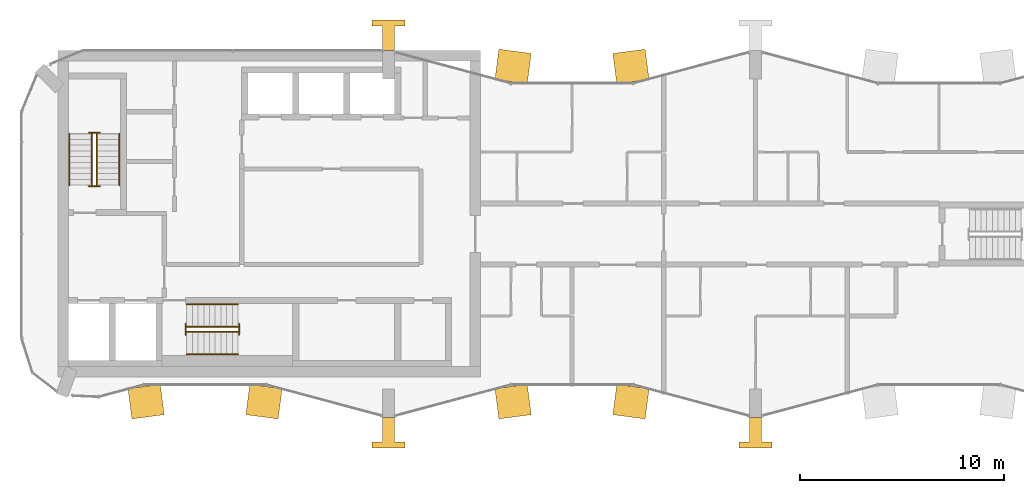
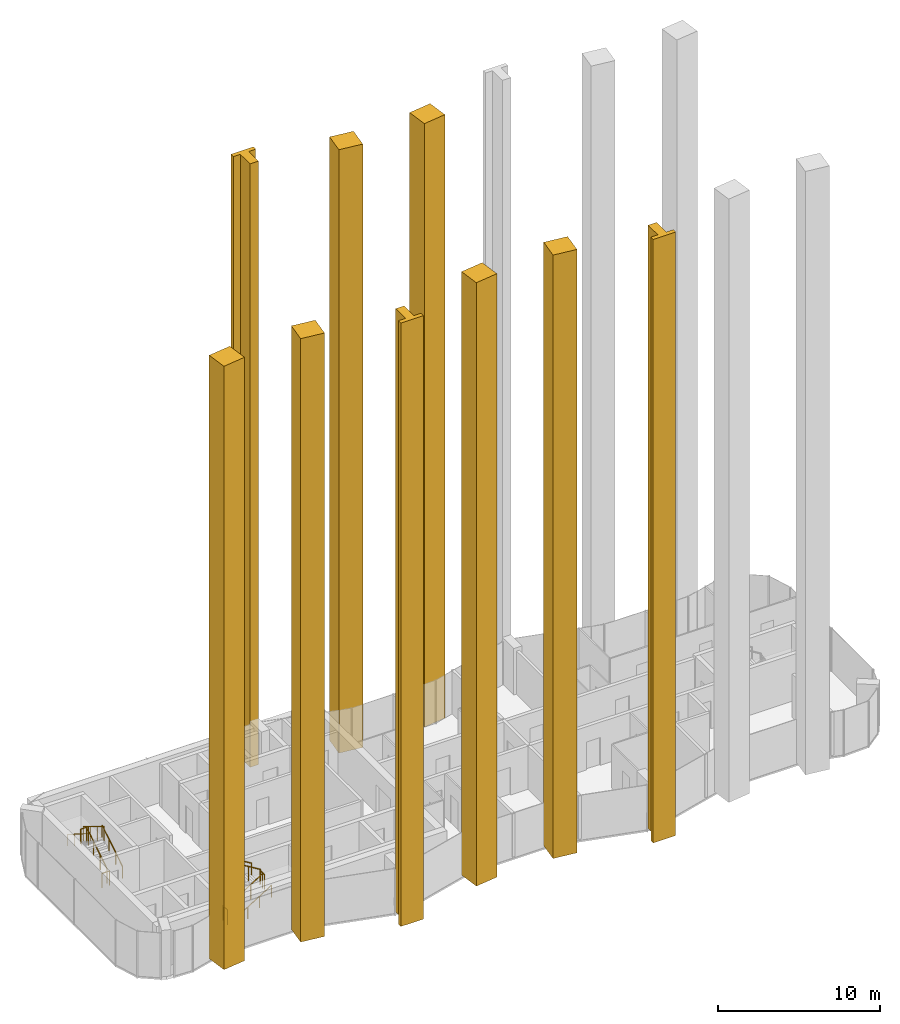
# One storey, part 10 of 11: 12 railings, 9 coverings.
"""IFC4 building model written with IfcOpenShell, lengths in metres."""

from ifc_helpers import new_model, si_unit, direction, frame, origin, origin_2d, place, context, subcontext, project, spatial, polyline, circle, outline, extrude, material, type_object, element, save


model = new_model("IFC4")

# Units and contexts
model_context = context("Model", 3, precision=1e-05, world=origin(), true_north=direction((0.0, 1.0)))
body_context = subcontext(model_context, "Body", "Model", "MODEL_VIEW")
ifc_project = project(units=[si_unit("LENGTHUNIT", "METRE"), si_unit("AREAUNIT", "SQUARE_METRE"), si_unit("VOLUMEUNIT", "CUBIC_METRE"), si_unit("PLANEANGLEUNIT", "RADIAN"), si_unit("MASSUNIT", "GRAM", prefix="KILO")], contexts=[model_context])

# Site, building, storey
site_placement = place(None, origin())
site = spatial("IfcSite", under=ifc_project, at=site_placement, CompositionType="ELEMENT")
building_placement = place(site_placement, origin())
building = spatial("IfcBuilding", under=site, at=building_placement, Name="Plateau Cross Towers", CompositionType="ELEMENT")
storey_placement = place(building_placement, frame((0.0, 0.0, 242.39990234375)))
storey = spatial("IfcBuildingStorey", under=building, at=storey_placement, Name="L63", CompositionType="ELEMENT", Elevation=242.39990234375)

# Coverings
ifc_material_1 = material(Name="Light precast concrete cladding C40/50", Category="concrete")
covering_type_1 = type_object("IfcCoveringType", Name="Flute pier cladding 1600x1500", PredefinedType="CLADDING", material=ifc_material_1)
covering_1_placement = place(storey_placement, origin())
element("IfcCovering", 1, at=covering_1_placement, inside=storey, type_object=covering_type_1, Name="Flute pier", PredefinedType="CLADDING", context=body_context, shape_type="SweptSolid", body=[
    extrude(outline(polyline([(30.7822265625, 16.580322265625), (29.19580078125, 16.37158203125), (29.000244140625, 17.85888671875), (30.58642578125, 18.067626953125), (30.7822265625, 16.580322265625)])), origin(), (0.0, 0.0, 1.0), 45.5),
])
covering_2_placement = place(storey_placement, origin())
element("IfcCovering", 2, at=covering_2_placement, inside=storey, type_object=covering_type_1, Name="Flute pier", PredefinedType="CLADDING", context=body_context, shape_type="SweptSolid", body=[
    extrude(outline(polyline([(24.80419921875, 16.37158203125), (23.2177734375, 16.580322265625), (23.41357421875, 18.067626953125), (24.999755859375, 17.85888671875), (24.80419921875, 16.37158203125)])), origin(), (0.0, 0.0, 1.0), 45.5),
])
covering_3_placement = place(storey_placement, origin())
element("IfcCovering", 3, at=covering_3_placement, inside=storey, type_object=covering_type_1, Name="Flute pier", PredefinedType="CLADDING", context=body_context, shape_type="SweptSolid", body=[
    extrude(outline(polyline([(5.2177734375, 1.419677734375), (6.80419921875, 1.62841796875), (6.999755859375, 0.14111328125), (5.41357421875, -0.067626953125), (5.2177734375, 1.419677734375)])), origin(), (0.0, 0.0, 1.0), 45.5),
])
covering_4_placement = place(storey_placement, origin())
element("IfcCovering", 4, at=covering_4_placement, inside=storey, type_object=covering_type_1, Name="Flute pier", PredefinedType="CLADDING", context=body_context, shape_type="SweptSolid", body=[
    extrude(outline(polyline([(11.19580078125, 1.62841796875), (12.7822265625, 1.419677734375), (12.58642578125, -0.067626953125), (11.000244140625, 0.14111328125), (11.19580078125, 1.62841796875)])), origin(), (0.0, 0.0, 1.0), 45.5),
])
covering_5_placement = place(storey_placement, origin())
element("IfcCovering", 5, at=covering_5_placement, inside=storey, type_object=covering_type_1, Name="Flute pier", PredefinedType="CLADDING", context=body_context, shape_type="SweptSolid", body=[
    extrude(outline(polyline([(23.2177734375, 1.419677734375), (24.80419921875, 1.62841796875), (24.999755859375, 0.14111328125), (23.41357421875, -0.067626953125), (23.2177734375, 1.419677734375)])), origin(), (0.0, 0.0, 1.0), 45.5),
])
covering_6_placement = place(storey_placement, origin())
element("IfcCovering", 6, at=covering_6_placement, inside=storey, type_object=covering_type_1, Name="Flute pier", PredefinedType="CLADDING", context=body_context, shape_type="SweptSolid", body=[
    extrude(outline(polyline([(29.19580078125, 1.62841796875), (30.7822265625, 1.419677734375), (30.58642578125, -0.067626953125), (29.000244140625, 0.14111328125), (29.19580078125, 1.62841796875)])), origin(), (0.0, 0.0, 1.0), 45.5),
])
covering_type_2 = type_object("IfcCoveringType", Name="Pier fin cladding 1600x1500", PredefinedType="CLADDING", material=ifc_material_1)
covering_7_placement = place(storey_placement, origin())
element("IfcCovering", 7, at=covering_7_placement, inside=storey, type_object=covering_type_2, Name="Pier fin PR1", PredefinedType="CLADDING", context=body_context, shape_type="SweptSolid", body=[
    extrude(outline(polyline([(17.699951171875, 0.0), (18.300048828125, 0.0), (18.300048828125, -1.199951171875), (18.800048828125, -1.199951171875), (18.800048828125, -1.5), (17.199951171875, -1.5), (17.199951171875, -1.199951171875), (17.699951171875, -1.199951171875), (17.699951171875, 0.0)])), origin(), (0.0, 0.0, 1.0), 45.5),
])
covering_8_placement = place(storey_placement, origin())
element("IfcCovering", 8, at=covering_8_placement, inside=storey, type_object=covering_type_2, Name="Pier fin PR2", PredefinedType="CLADDING", context=body_context, shape_type="SweptSolid", body=[
    extrude(outline(polyline([(35.699951171875, 0.0), (36.300048828125, 0.0), (36.300048828125, -1.199951171875), (36.800048828125, -1.199951171875), (36.800048828125, -1.5), (35.199951171875, -1.5), (35.199951171875, -1.199951171875), (35.699951171875, -1.199951171875), (35.699951171875, 0.0)])), origin(), (0.0, 0.0, 1.0), 45.5),
])
covering_9_placement = place(storey_placement, origin())
element("IfcCovering", 9, at=covering_9_placement, inside=storey, type_object=covering_type_2, Name="Pier fin PR13", PredefinedType="CLADDING", context=body_context, shape_type="SweptSolid", body=[
    extrude(outline(polyline([(17.699951171875, 18.0), (18.300048828125, 18.0), (18.300048828125, 19.199951171875), (18.800048828125, 19.199951171875), (18.800048828125, 19.5), (17.199951171875, 19.5), (17.199951171875, 19.199951171875), (17.699951171875, 19.199951171875), (17.699951171875, 18.0)])), origin(), (0.0, 0.0, 1.0), 45.5),
])

# Railings
ifc_material_2 = material(Name="Stainless steel and toughened glass", Category="steel")
railing_type_1 = type_object("IfcRailingType", Name="RL-GUARD-1100", PredefinedType="GUARDRAIL", material=ifc_material_2)
railing_1_placement = place(storey_placement, frame((3.699951171875, 11.39990234375, 0.175048828125)))
element("IfcRailing", 10, at=railing_1_placement, inside=storey, type_object=railing_type_1, Name="L63 ST-1 stair guard 1", PredefinedType="GUARDRAIL", context=body_context, shape_type="SweptSolid", body=[
    extrude(circle(Radius=0.02392578125, at=origin_2d()), frame((0.0, 0.0, 1.076171875), z_axis=(0.0, 0.848007534815, 0.529984170421), x_axis=(-1.0, 0.0, 0.0)), (0.0, 0.0, 1.0), 2.9716796875),
    extrude(circle(Radius=0.02099609375, at=origin_2d()), origin(), (0.0, 0.0, 1.0), 1.052001953125),
    extrude(circle(Radius=0.02099609375, at=origin_2d()), frame((0.0, 0.840087890625, 0.52490234375)), (0.0, 0.0, 1.0), 1.052001953125),
    extrude(circle(Radius=0.02099609375, at=origin_2d()), frame((0.0, 1.679931640625, 1.050048828125)), (0.0, 0.0, 1.0), 1.052001953125),
    extrude(circle(Radius=0.02099609375, at=origin_2d()), frame((0.0, 2.52001953125, 1.574951171875)), (0.0, 0.0, 1.0), 1.052001953125),
])
railing_2_placement = place(storey_placement, frame((3.85009765625, 13.969970703125, 1.75)))
element("IfcRailing", 11, at=railing_2_placement, inside=storey, type_object=railing_type_1, Name="L63 ST-1 stair guard 2", PredefinedType="GUARDRAIL", context=body_context, shape_type="SweptSolid", body=[
    extrude(circle(Radius=0.02392578125, at=origin_2d()), frame((0.0, 0.0, 1.076171875), z_axis=(-1.0, 0.0, 0.0), x_axis=(0.0, -1.0, 0.0)), (0.0, 0.0, 1.0), 0.550048828125),
    extrude(circle(Radius=0.02099609375, at=origin_2d()), origin(), (0.0, 0.0, 1.0), 1.052001953125),
    extrude(circle(Radius=0.02099609375, at=origin_2d()), frame((-0.550048828125, 0.0, 0.0)), (0.0, 0.0, 1.0), 1.052001953125),
])
railing_3_placement = place(storey_placement, frame((3.449951171875, 13.919921875, 1.925048828125)))
element("IfcRailing", 12, at=railing_3_placement, inside=storey, type_object=railing_type_1, Name="L63 ST-1 stair guard 3", PredefinedType="GUARDRAIL", context=body_context, shape_type="SweptSolid", body=[
    extrude(circle(Radius=0.02392578125, at=origin_2d()), frame((0.0, 0.0, 1.076171875), z_axis=(0.0, -0.852616386126, 0.522537365276), x_axis=(1.0, 0.0, 0.0)), (0.0, 0.0, 1.0), 3.01416015625),
    extrude(circle(Radius=0.02099609375, at=origin_2d()), origin(), (0.0, 0.0, 1.0), 1.052001953125),
    extrude(circle(Radius=0.02099609375, at=origin_2d()), frame((0.0, -0.856689453125, 0.52490234375)), (0.0, 0.0, 1.0), 1.052001953125),
    extrude(circle(Radius=0.02099609375, at=origin_2d()), frame((0.0, -1.713134765625, 1.050048828125)), (0.0, 0.0, 1.0), 1.052001953125),
    extrude(circle(Radius=0.02099609375, at=origin_2d()), frame((0.0, -2.56982421875, 1.574951171875)), (0.0, 0.0, 1.0), 1.052001953125),
])
railing_4_placement = place(storey_placement, frame((3.85009765625, 11.35009765625, 0.0)))
element("IfcRailing", 13, at=railing_4_placement, inside=storey, type_object=railing_type_1, Name="L63 ST-1 stair guard 4", PredefinedType="GUARDRAIL", context=body_context, shape_type="SweptSolid", body=[
    extrude(circle(Radius=0.02392578125, at=origin_2d()), frame((0.0, 0.0, 1.076171875), z_axis=(-1.0, 0.0, 0.0), x_axis=(0.0, -1.0, 0.0)), (0.0, 0.0, 1.0), 0.550048828125),
    extrude(circle(Radius=0.02099609375, at=origin_2d()), origin(), (0.0, 0.0, 1.0), 1.052001953125),
    extrude(circle(Radius=0.02099609375, at=origin_2d()), frame((-0.550048828125, 0.0, 0.0)), (0.0, 0.0, 1.0), 1.052001953125),
])
railing_5_placement = place(storey_placement, frame((8.10009765625, 4.199951171875, 0.175048828125)))
element("IfcRailing", 14, at=railing_5_placement, inside=storey, type_object=railing_type_1, Name="L63 ST-2 stair guard 1", PredefinedType="GUARDRAIL", context=body_context, shape_type="SweptSolid", body=[
    extrude(circle(Radius=0.02392578125, at=origin_2d()), frame((0.0, 0.0, 1.076171875), z_axis=(0.848007534815, 0.0, 0.529984170421), x_axis=(0.0, 1.0, 0.0)), (0.0, 0.0, 1.0), 2.9716796875),
    extrude(circle(Radius=0.02099609375, at=origin_2d()), origin(), (0.0, 0.0, 1.0), 1.052001953125),
    extrude(circle(Radius=0.02099609375, at=origin_2d()), frame((0.840087890625, 0.0, 0.52490234375)), (0.0, 0.0, 1.0), 1.052001953125),
    extrude(circle(Radius=0.02099609375, at=origin_2d()), frame((1.679931640625, 0.0, 1.050048828125)), (0.0, 0.0, 1.0), 1.052001953125),
    extrude(circle(Radius=0.02099609375, at=origin_2d()), frame((2.52001953125, 0.0, 1.574951171875)), (0.0, 0.0, 1.0), 1.052001953125),
])
railing_6_placement = place(storey_placement, frame((10.669921875, 4.050048828125, 1.75)))
element("IfcRailing", 15, at=railing_6_placement, inside=storey, type_object=railing_type_1, Name="L63 ST-2 stair guard 2", PredefinedType="GUARDRAIL", context=body_context, shape_type="SweptSolid", body=[
    extrude(circle(Radius=0.02392578125, at=origin_2d()), frame((0.0, 0.0, 1.076171875), z_axis=(0.0, 1.0, 0.0), x_axis=(-1.0, 0.0, 0.0)), (0.0, 0.0, 1.0), 0.550048828125),
    extrude(circle(Radius=0.02099609375, at=origin_2d()), origin(), (0.0, 0.0, 1.0), 1.052001953125),
    extrude(circle(Radius=0.02099609375, at=origin_2d()), frame((0.0, 0.550048828125, 0.0)), (0.0, 0.0, 1.0), 1.052001953125),
])
railing_7_placement = place(storey_placement, frame((10.6201171875, 4.449951171875, 1.925048828125)))
element("IfcRailing", 16, at=railing_7_placement, inside=storey, type_object=railing_type_1, Name="L63 ST-2 stair guard 3", PredefinedType="GUARDRAIL", context=body_context, shape_type="SweptSolid", body=[
    extrude(circle(Radius=0.02392578125, at=origin_2d()), frame((0.0, 0.0, 1.076171875), z_axis=(-0.852638500773, 0.0, 0.522501279423), x_axis=(0.0, -1.0, 0.0)), (0.0, 0.0, 1.0), 3.01416015625),
    extrude(circle(Radius=0.02099609375, at=origin_2d()), origin(), (0.0, 0.0, 1.0), 1.052001953125),
    extrude(circle(Radius=0.02099609375, at=origin_2d()), frame((-0.856689453125, 0.0, 0.52490234375)), (0.0, 0.0, 1.0), 1.052001953125),
    extrude(circle(Radius=0.02099609375, at=origin_2d()), frame((-1.71337890625, 0.0, 1.050048828125)), (0.0, 0.0, 1.0), 1.052001953125),
    extrude(circle(Radius=0.02099609375, at=origin_2d()), frame((-2.570068359375, 0.0, 1.574951171875)), (0.0, 0.0, 1.0), 1.052001953125),
])
railing_8_placement = place(storey_placement, frame((8.050048828125, 4.050048828125, 0.0)))
element("IfcRailing", 17, at=railing_8_placement, inside=storey, type_object=railing_type_1, Name="L63 ST-2 stair guard 4", PredefinedType="GUARDRAIL", context=body_context, shape_type="SweptSolid", body=[
    extrude(circle(Radius=0.02392578125, at=origin_2d()), frame((0.0, 0.0, 1.076171875), z_axis=(0.0, 1.0, 0.0), x_axis=(-1.0, 0.0, 0.0)), (0.0, 0.0, 1.0), 0.550048828125),
    extrude(circle(Radius=0.02099609375, at=origin_2d()), origin(), (0.0, 0.0, 1.0), 1.052001953125),
    extrude(circle(Radius=0.02099609375, at=origin_2d()), frame((0.0, 0.550048828125, 0.0)), (0.0, 0.0, 1.0), 1.052001953125),
])
ifc_material_3 = material(Name="Black anodised aluminium", Category="aluminium")
railing_type_2 = type_object("IfcRailingType", Name="RL-HANDRAIL-900", PredefinedType="HANDRAIL", material=ifc_material_3)
railing_9_placement = place(storey_placement, frame((4.800048828125, 11.39990234375, 0.175048828125)))
element("IfcRailing", 18, at=railing_9_placement, inside=storey, type_object=railing_type_2, Name="L63 ST-1 stair handrail 1", PredefinedType="HANDRAIL", context=body_context, shape_type="SweptSolid", body=[
    extrude(circle(Radius=0.02392578125, at=origin_2d()), frame((0.0, 0.0, 0.8759765625), z_axis=(0.0, 0.848007534815, 0.529984170421), x_axis=(-1.0, 0.0, 0.0)), (0.0, 0.0, 1.0), 2.9716796875),
    extrude(circle(Radius=0.02099609375, at=origin_2d()), origin(), (0.0, 0.0, 1.0), 0.851806640625),
    extrude(circle(Radius=0.02099609375, at=origin_2d()), frame((0.0, 0.840087890625, 0.52490234375)), (0.0, 0.0, 1.0), 0.851806640625),
    extrude(circle(Radius=0.02099609375, at=origin_2d()), frame((0.0, 1.679931640625, 1.050048828125)), (0.0, 0.0, 1.0), 0.851806640625),
    extrude(circle(Radius=0.02099609375, at=origin_2d()), frame((0.0, 2.52001953125, 1.574951171875)), (0.0, 0.0, 1.0), 0.851806640625),
])
railing_10_placement = place(storey_placement, frame((2.35009765625, 13.919921875, 1.925048828125)))
element("IfcRailing", 19, at=railing_10_placement, inside=storey, type_object=railing_type_2, Name="L63 ST-1 stair handrail 2", PredefinedType="HANDRAIL", context=body_context, shape_type="SweptSolid", body=[
    extrude(circle(Radius=0.02392578125, at=origin_2d()), frame((0.0, 0.0, 0.8759765625), z_axis=(0.0, -0.848007534815, 0.529984170421), x_axis=(1.0, 0.0, 0.0)), (0.0, 0.0, 1.0), 2.9716796875),
    extrude(circle(Radius=0.02099609375, at=origin_2d()), origin(), (0.0, 0.0, 1.0), 0.851806640625),
    extrude(circle(Radius=0.02099609375, at=origin_2d()), frame((0.0, -0.840087890625, 0.52490234375)), (0.0, 0.0, 1.0), 0.851806640625),
    extrude(circle(Radius=0.02099609375, at=origin_2d()), frame((0.0, -1.679931640625, 1.050048828125)), (0.0, 0.0, 1.0), 0.851806640625),
    extrude(circle(Radius=0.02099609375, at=origin_2d()), frame((0.0, -2.52001953125, 1.574951171875)), (0.0, 0.0, 1.0), 0.851806640625),
])
railing_11_placement = place(storey_placement, frame((8.10009765625, 3.10009765625, 0.175048828125)))
element("IfcRailing", 20, at=railing_11_placement, inside=storey, type_object=railing_type_2, Name="L63 ST-2 stair handrail 1", PredefinedType="HANDRAIL", context=body_context, shape_type="SweptSolid", body=[
    extrude(circle(Radius=0.02392578125, at=origin_2d()), frame((0.0, 0.0, 0.8759765625), z_axis=(0.848007534815, 0.0, 0.529984170421), x_axis=(0.0, 1.0, 0.0)), (0.0, 0.0, 1.0), 2.9716796875),
    extrude(circle(Radius=0.02099609375, at=origin_2d()), origin(), (0.0, 0.0, 1.0), 0.851806640625),
    extrude(circle(Radius=0.02099609375, at=origin_2d()), frame((0.840087890625, 0.0, 0.52490234375)), (0.0, 0.0, 1.0), 0.851806640625),
    extrude(circle(Radius=0.02099609375, at=origin_2d()), frame((1.679931640625, 0.0, 1.050048828125)), (0.0, 0.0, 1.0), 0.851806640625),
    extrude(circle(Radius=0.02099609375, at=origin_2d()), frame((2.52001953125, 0.0, 1.574951171875)), (0.0, 0.0, 1.0), 0.851806640625),
])
railing_12_placement = place(storey_placement, frame((10.6201171875, 5.550048828125, 1.925048828125)))
element("IfcRailing", 21, at=railing_12_placement, inside=storey, type_object=railing_type_2, Name="L63 ST-2 stair handrail 2", PredefinedType="HANDRAIL", context=body_context, shape_type="SweptSolid", body=[
    extrude(circle(Radius=0.02392578125, at=origin_2d()), frame((0.0, 0.0, 0.8759765625), z_axis=(-0.848007534815, 0.0, 0.529984170421), x_axis=(0.0, -1.0, 0.0)), (0.0, 0.0, 1.0), 2.9716796875),
    extrude(circle(Radius=0.02099609375, at=origin_2d()), origin(), (0.0, 0.0, 1.0), 0.851806640625),
    extrude(circle(Radius=0.02099609375, at=origin_2d()), frame((-0.840087890625, 0.0, 0.52490234375)), (0.0, 0.0, 1.0), 0.851806640625),
    extrude(circle(Radius=0.02099609375, at=origin_2d()), frame((-1.679931640625, 0.0, 1.050048828125)), (0.0, 0.0, 1.0), 0.851806640625),
    extrude(circle(Radius=0.02099609375, at=origin_2d()), frame((-2.52001953125, 0.0, 1.574951171875)), (0.0, 0.0, 1.0), 0.851806640625),
])

save(model, "model.ifc")
